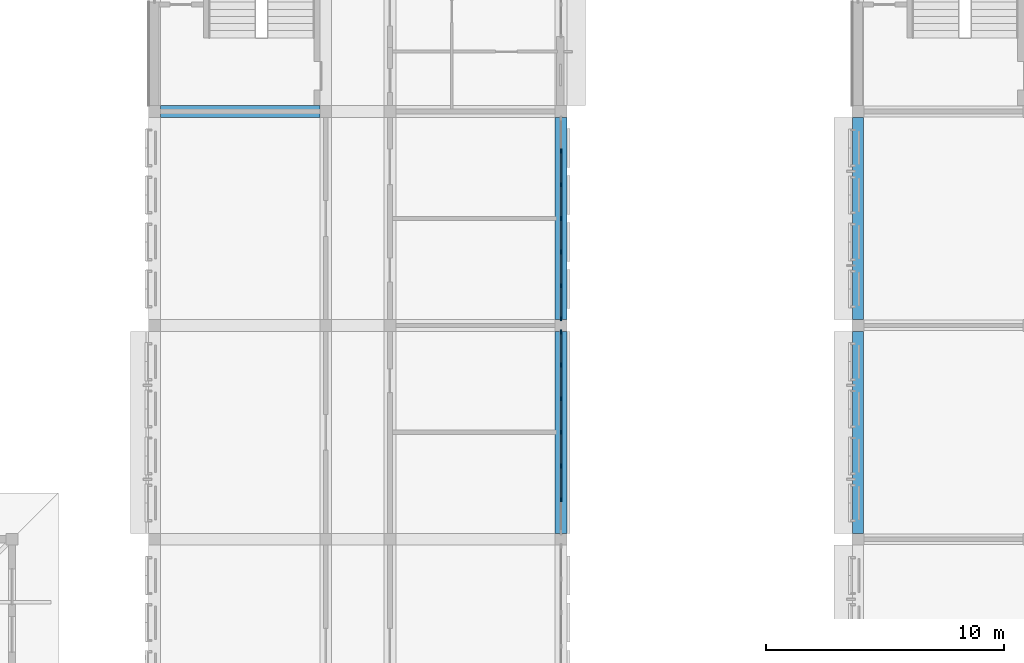
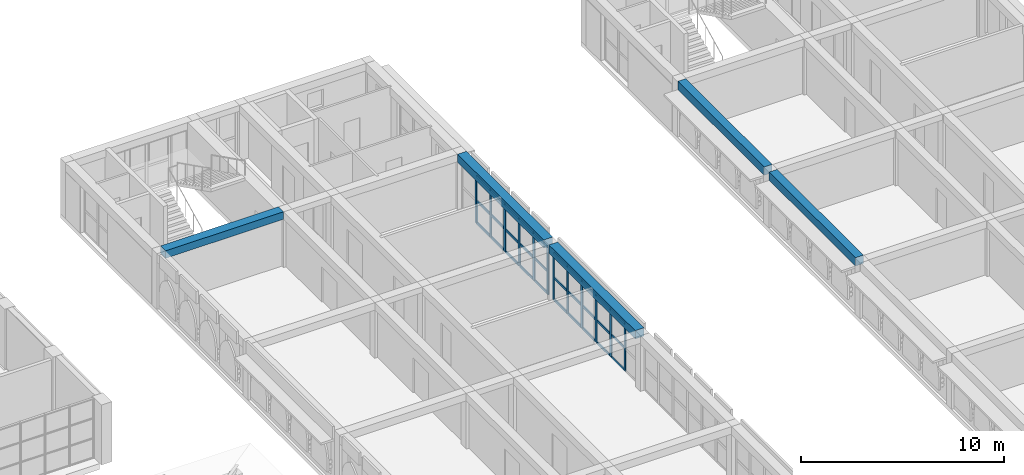
# One storey, part 20 of 82: 42 members, 5 beams, 2 elements without a shape of their own.
"""IFC4 building model written with IfcOpenShell, lengths in metres."""

from ifc_helpers import new_model, si_unit, direction, frame, origin, origin_2d, place, context, subcontext, project, spatial, rectangle, extrude, material, layer, layer_set, material_profile, profile_set, type_object, element, aggregate, save


model = new_model("IFC4")

# Units and contexts
model_context = context("Model", 3, precision=1e-05, world=origin(), true_north=direction((0.0, 1.0)))
body_context = subcontext(model_context, "Body", "Model", "MODEL_VIEW")
ifc_project = project(units=[si_unit("LENGTHUNIT", "METRE"), si_unit("AREAUNIT", "SQUARE_METRE"), si_unit("VOLUMEUNIT", "CUBIC_METRE"), si_unit("PLANEANGLEUNIT", "RADIAN"), si_unit("MASSUNIT", "GRAM", prefix="KILO")], contexts=[model_context])

# Site, building, storey
site_placement = place(None, origin())
site = spatial("IfcSite", under=ifc_project, at=site_placement, CompositionType="ELEMENT")
building_placement = place(site_placement, origin())
building = spatial("IfcBuilding", under=site, at=building_placement, Name="Elbe Cascade School", CompositionType="ELEMENT")
storey_placement = place(building_placement, frame((0.0, 0.0, 4.5)))
storey = spatial("IfcBuildingStorey", under=building, at=storey_placement, Name="L01", CompositionType="ELEMENT", Elevation=4.5)

# Curtain wall, members
ifc_material_1 = material(Name="Aluminium frame with double glazing, bronze anodised", Category="aluminium")
ifc_layer = layer(ifc_material_1, 0.179931640625)
ifc_layer_set = layer_set([ifc_layer], Name="Aluminium frame with double glazing, bronze anodised")
curtain_wall_type = type_object("IfcCurtainWallType", Name="Bars envelope Curtain wall, aluminium, bronze anodised, wide run", PredefinedType="NOTDEFINED", material=ifc_layer_set)
curtain_wall_1_placement = place(storey_placement, origin())
curtain_wall_1 = element("IfcCurtainWall", 1, at=curtain_wall_1_placement, inside=storey, type_object=curtain_wall_type, Name="Curtain wall CW5 A.L01.e4", PredefinedType="NOTDEFINED")
ifc_material_2 = material(Name="Aluminium mullion, bronze anodised", Category="aluminium")
ifc_material_profile_1 = material_profile(ifc_material_2, rectangle(XDim=0.06005859375, YDim=0.179931640625, at=origin_2d()), Name="Bars envelope Curtain wall mullion 60 x 180, aluminium, wide run")
ifc_profile_set_1 = profile_set([ifc_material_profile_1], Name="Aluminium mullion, bronze anodised")
member_type_1 = type_object("IfcMemberType", Name="Bars envelope Curtain wall mullion 60 x 180, aluminium, wide run", PredefinedType="MULLION", material=ifc_profile_set_1)
member_1_placement = place(storey_placement, frame((86.10009765625, 41.719970703125, 0.0), z_axis=(0.0, 0.0, 1.0), x_axis=(1.0, 0.0, 0.0)))
member_1 = element("IfcMember", 2, at=member_1_placement, type_object=member_type_1, Name="CW5 mullion 1", PredefinedType="MULLION", context=body_context, shape_type="SweptSolid", body=[
    extrude(rectangle(XDim=0.06005859375, YDim=0.179931640625, at=origin_2d()), origin(), (0.0, 0.0, 1.0), 2.85009765625),
])
member_2_placement = place(storey_placement, frame((86.10009765625, 40.333251953125, 0.0), z_axis=(0.0, 0.0, 1.0), x_axis=(1.0, 0.0, 0.0)))
member_2 = element("IfcMember", 3, at=member_2_placement, type_object=member_type_1, Name="CW5 mullion 2", PredefinedType="MULLION", context=body_context, shape_type="SweptSolid", body=[
    extrude(rectangle(XDim=0.06005859375, YDim=0.179931640625, at=origin_2d()), origin(), (0.0, 0.0, 1.0), 2.85009765625),
])
member_3_placement = place(storey_placement, frame((86.10009765625, 38.916748046875, 0.0), z_axis=(0.0, 0.0, 1.0), x_axis=(1.0, 0.0, 0.0)))
member_3 = element("IfcMember", 4, at=member_3_placement, type_object=member_type_1, Name="CW5 mullion 3", PredefinedType="MULLION", context=body_context, shape_type="SweptSolid", body=[
    extrude(rectangle(XDim=0.06005859375, YDim=0.179931640625, at=origin_2d()), origin(), (0.0, 0.0, 1.0), 2.85009765625),
])
member_4_placement = place(storey_placement, frame((86.10009765625, 37.5, 0.0), z_axis=(0.0, 0.0, 1.0), x_axis=(1.0, 0.0, 0.0)))
member_4 = element("IfcMember", 5, at=member_4_placement, type_object=member_type_1, Name="CW5 mullion 4", PredefinedType="MULLION", context=body_context, shape_type="SweptSolid", body=[
    extrude(rectangle(XDim=0.06005859375, YDim=0.179931640625, at=origin_2d()), origin(), (0.0, 0.0, 1.0), 2.85009765625),
])
member_5_placement = place(storey_placement, frame((86.10009765625, 36.083251953125, 0.0), z_axis=(0.0, 0.0, 1.0), x_axis=(1.0, 0.0, 0.0)))
member_5 = element("IfcMember", 6, at=member_5_placement, type_object=member_type_1, Name="CW5 mullion 5", PredefinedType="MULLION", context=body_context, shape_type="SweptSolid", body=[
    extrude(rectangle(XDim=0.06005859375, YDim=0.179931640625, at=origin_2d()), origin(), (0.0, 0.0, 1.0), 2.85009765625),
])
member_6_placement = place(storey_placement, frame((86.10009765625, 34.666748046875, 0.0), z_axis=(0.0, 0.0, 1.0), x_axis=(1.0, 0.0, 0.0)))
member_6 = element("IfcMember", 7, at=member_6_placement, type_object=member_type_1, Name="CW5 mullion 6", PredefinedType="MULLION", context=body_context, shape_type="SweptSolid", body=[
    extrude(rectangle(XDim=0.06005859375, YDim=0.179931640625, at=origin_2d()), origin(), (0.0, 0.0, 1.0), 2.85009765625),
])

curtain_wall_2_placement = place(storey_placement, origin())
curtain_wall_2 = element("IfcCurtainWall", 8, at=curtain_wall_2_placement, inside=storey, type_object=curtain_wall_type, Name="Curtain wall CW5 A.L01.e5", PredefinedType="NOTDEFINED")
member_7_placement = place(storey_placement, frame((86.10009765625, 49.333251953125, 0.0), z_axis=(0.0, 0.0, 1.0), x_axis=(1.0, 0.0, 0.0)))
member_7 = element("IfcMember", 9, at=member_7_placement, type_object=member_type_1, Name="CW5 mullion 2", PredefinedType="MULLION", context=body_context, shape_type="SweptSolid", body=[
    extrude(rectangle(XDim=0.06005859375, YDim=0.179931640625, at=origin_2d()), origin(), (0.0, 0.0, 1.0), 2.85009765625),
])
member_8_placement = place(storey_placement, frame((86.10009765625, 47.916748046875, 0.0), z_axis=(0.0, 0.0, 1.0), x_axis=(1.0, 0.0, 0.0)))
member_8 = element("IfcMember", 10, at=member_8_placement, type_object=member_type_1, Name="CW5 mullion 3", PredefinedType="MULLION", context=body_context, shape_type="SweptSolid", body=[
    extrude(rectangle(XDim=0.06005859375, YDim=0.179931640625, at=origin_2d()), origin(), (0.0, 0.0, 1.0), 2.85009765625),
])
member_9_placement = place(storey_placement, frame((86.10009765625, 46.5, 0.0), z_axis=(0.0, 0.0, 1.0), x_axis=(1.0, 0.0, 0.0)))
member_9 = element("IfcMember", 11, at=member_9_placement, type_object=member_type_1, Name="CW5 mullion 4", PredefinedType="MULLION", context=body_context, shape_type="SweptSolid", body=[
    extrude(rectangle(XDim=0.06005859375, YDim=0.179931640625, at=origin_2d()), origin(), (0.0, 0.0, 1.0), 2.85009765625),
])
member_10_placement = place(storey_placement, frame((86.10009765625, 45.083251953125, 0.0), z_axis=(0.0, 0.0, 1.0), x_axis=(1.0, 0.0, 0.0)))
member_10 = element("IfcMember", 12, at=member_10_placement, type_object=member_type_1, Name="CW5 mullion 5", PredefinedType="MULLION", context=body_context, shape_type="SweptSolid", body=[
    extrude(rectangle(XDim=0.06005859375, YDim=0.179931640625, at=origin_2d()), origin(), (0.0, 0.0, 1.0), 2.85009765625),
])
member_11_placement = place(storey_placement, frame((86.10009765625, 43.666748046875, 0.0), z_axis=(0.0, 0.0, 1.0), x_axis=(1.0, 0.0, 0.0)))
member_11 = element("IfcMember", 13, at=member_11_placement, type_object=member_type_1, Name="CW5 mullion 6", PredefinedType="MULLION", context=body_context, shape_type="SweptSolid", body=[
    extrude(rectangle(XDim=0.06005859375, YDim=0.179931640625, at=origin_2d()), origin(), (0.0, 0.0, 1.0), 2.85009765625),
])
member_12_placement = place(storey_placement, frame((86.10009765625, 42.280029296875, 0.0), z_axis=(0.0, 0.0, 1.0), x_axis=(1.0, 0.0, 0.0)))
member_12 = element("IfcMember", 14, at=member_12_placement, type_object=member_type_1, Name="CW5 mullion 7", PredefinedType="MULLION", context=body_context, shape_type="SweptSolid", body=[
    extrude(rectangle(XDim=0.06005859375, YDim=0.179931640625, at=origin_2d()), origin(), (0.0, 0.0, 1.0), 2.85009765625),
])

# Member
ifc_material_3 = material(Name="Aluminium transom, bronze anodised", Category="aluminium")
ifc_material_profile_2 = material_profile(ifc_material_3, rectangle(XDim=0.06005859375, YDim=0.14990234375, at=origin_2d()), Name="Bars envelope Curtain wall transom 60 x 150, aluminium, wide run")
ifc_profile_set_2 = profile_set([ifc_material_profile_2], Name="Aluminium transom, bronze anodised")
member_type_2 = type_object("IfcMemberType", Name="Bars envelope Curtain wall transom 60 x 150, aluminium, wide run", PredefinedType="USERDEFINED", material=ifc_profile_set_2)
member_13_placement = place(storey_placement, frame((86.10009765625, 41.68994140625, 0.030029296875), z_axis=(0.0, -1.0, 0.0), x_axis=(1.0, 0.0, 0.0)))
member_13 = element("IfcMember", 15, at=member_13_placement, type_object=member_type_2, Name="CW5 transom 1.1", ObjectType="TRANSOM", PredefinedType="USERDEFINED", context=body_context, shape_type="SweptSolid", body=[
    extrude(rectangle(XDim=0.06005859375, YDim=0.14990234375, at=origin_2d()), origin(), (0.0, 0.0, 1.0), 1.32666015625),
])

member_14_placement = place(storey_placement, frame((86.10009765625, 41.68994140625, 1.35009765625), z_axis=(0.0, -1.0, 0.0), x_axis=(1.0, 0.0, 0.0)))
member_14 = element("IfcMember", 16, at=member_14_placement, type_object=member_type_2, Name="CW5 transom 1.2", ObjectType="TRANSOM", PredefinedType="USERDEFINED", context=body_context, shape_type="SweptSolid", body=[
    extrude(rectangle(XDim=0.06005859375, YDim=0.14990234375, at=origin_2d()), origin(), (0.0, 0.0, 1.0), 1.32666015625),
])

member_15_placement = place(storey_placement, frame((86.10009765625, 41.68994140625, 2.820068359375), z_axis=(0.0, -1.0, 0.0), x_axis=(1.0, 0.0, 0.0)))
member_15 = element("IfcMember", 17, at=member_15_placement, type_object=member_type_2, Name="CW5 transom 1.3", ObjectType="TRANSOM", PredefinedType="USERDEFINED", context=body_context, shape_type="SweptSolid", body=[
    extrude(rectangle(XDim=0.06005859375, YDim=0.14990234375, at=origin_2d()), origin(), (0.0, 0.0, 1.0), 1.32666015625),
])

member_16_placement = place(storey_placement, frame((86.10009765625, 40.30322265625, 0.030029296875), z_axis=(0.0, -1.0, 0.0), x_axis=(1.0, 0.0, 0.0)))
member_16 = element("IfcMember", 18, at=member_16_placement, type_object=member_type_2, Name="CW5 transom 2.1", ObjectType="TRANSOM", PredefinedType="USERDEFINED", context=body_context, shape_type="SweptSolid", body=[
    extrude(rectangle(XDim=0.06005859375, YDim=0.14990234375, at=origin_2d()), origin(), (0.0, 0.0, 1.0), 1.3564453125),
])

member_17_placement = place(storey_placement, frame((86.10009765625, 40.30322265625, 1.35009765625), z_axis=(0.0, -1.0, 0.0), x_axis=(1.0, 0.0, 0.0)))
member_17 = element("IfcMember", 19, at=member_17_placement, type_object=member_type_2, Name="CW5 transom 2.2", ObjectType="TRANSOM", PredefinedType="USERDEFINED", context=body_context, shape_type="SweptSolid", body=[
    extrude(rectangle(XDim=0.06005859375, YDim=0.14990234375, at=origin_2d()), origin(), (0.0, 0.0, 1.0), 1.3564453125),
])

member_18_placement = place(storey_placement, frame((86.10009765625, 40.30322265625, 2.820068359375), z_axis=(0.0, -1.0, 0.0), x_axis=(1.0, 0.0, 0.0)))
member_18 = element("IfcMember", 20, at=member_18_placement, type_object=member_type_2, Name="CW5 transom 2.3", ObjectType="TRANSOM", PredefinedType="USERDEFINED", context=body_context, shape_type="SweptSolid", body=[
    extrude(rectangle(XDim=0.06005859375, YDim=0.14990234375, at=origin_2d()), origin(), (0.0, 0.0, 1.0), 1.3564453125),
])

member_19_placement = place(storey_placement, frame((86.10009765625, 38.88671875, 0.030029296875), z_axis=(0.0, -1.0, 0.0), x_axis=(1.0, 0.0, 0.0)))
member_19 = element("IfcMember", 21, at=member_19_placement, type_object=member_type_2, Name="CW5 transom 3.1", ObjectType="TRANSOM", PredefinedType="USERDEFINED", context=body_context, shape_type="SweptSolid", body=[
    extrude(rectangle(XDim=0.06005859375, YDim=0.14990234375, at=origin_2d()), origin(), (0.0, 0.0, 1.0), 1.356689453125),
])

member_20_placement = place(storey_placement, frame((86.10009765625, 38.88671875, 1.35009765625), z_axis=(0.0, -1.0, 0.0), x_axis=(1.0, 0.0, 0.0)))
member_20 = element("IfcMember", 22, at=member_20_placement, type_object=member_type_2, Name="CW5 transom 3.2", ObjectType="TRANSOM", PredefinedType="USERDEFINED", context=body_context, shape_type="SweptSolid", body=[
    extrude(rectangle(XDim=0.06005859375, YDim=0.14990234375, at=origin_2d()), origin(), (0.0, 0.0, 1.0), 1.356689453125),
])

member_21_placement = place(storey_placement, frame((86.10009765625, 38.88671875, 2.820068359375), z_axis=(0.0, -1.0, 0.0), x_axis=(1.0, 0.0, 0.0)))
member_21 = element("IfcMember", 23, at=member_21_placement, type_object=member_type_2, Name="CW5 transom 3.3", ObjectType="TRANSOM", PredefinedType="USERDEFINED", context=body_context, shape_type="SweptSolid", body=[
    extrude(rectangle(XDim=0.06005859375, YDim=0.14990234375, at=origin_2d()), origin(), (0.0, 0.0, 1.0), 1.356689453125),
])

member_22_placement = place(storey_placement, frame((86.10009765625, 37.469970703125, 0.030029296875), z_axis=(0.0, -1.0, 0.0), x_axis=(1.0, 0.0, 0.0)))
member_22 = element("IfcMember", 24, at=member_22_placement, type_object=member_type_2, Name="CW5 transom 4.1", ObjectType="TRANSOM", PredefinedType="USERDEFINED", context=body_context, shape_type="SweptSolid", body=[
    extrude(rectangle(XDim=0.06005859375, YDim=0.14990234375, at=origin_2d()), origin(), (0.0, 0.0, 1.0), 1.356689453125),
])

member_23_placement = place(storey_placement, frame((86.10009765625, 37.469970703125, 1.35009765625), z_axis=(0.0, -1.0, 0.0), x_axis=(1.0, 0.0, 0.0)))
member_23 = element("IfcMember", 25, at=member_23_placement, type_object=member_type_2, Name="CW5 transom 4.2", ObjectType="TRANSOM", PredefinedType="USERDEFINED", context=body_context, shape_type="SweptSolid", body=[
    extrude(rectangle(XDim=0.06005859375, YDim=0.14990234375, at=origin_2d()), origin(), (0.0, 0.0, 1.0), 1.356689453125),
])

member_24_placement = place(storey_placement, frame((86.10009765625, 37.469970703125, 2.820068359375), z_axis=(0.0, -1.0, 0.0), x_axis=(1.0, 0.0, 0.0)))
member_24 = element("IfcMember", 26, at=member_24_placement, type_object=member_type_2, Name="CW5 transom 4.3", ObjectType="TRANSOM", PredefinedType="USERDEFINED", context=body_context, shape_type="SweptSolid", body=[
    extrude(rectangle(XDim=0.06005859375, YDim=0.14990234375, at=origin_2d()), origin(), (0.0, 0.0, 1.0), 1.356689453125),
])

member_25_placement = place(storey_placement, frame((86.10009765625, 36.05322265625, 0.030029296875), z_axis=(0.0, -1.0, 0.0), x_axis=(1.0, 0.0, 0.0)))
member_25 = element("IfcMember", 27, at=member_25_placement, type_object=member_type_2, Name="CW5 transom 5.1", ObjectType="TRANSOM", PredefinedType="USERDEFINED", context=body_context, shape_type="SweptSolid", body=[
    extrude(rectangle(XDim=0.06005859375, YDim=0.14990234375, at=origin_2d()), origin(), (0.0, 0.0, 1.0), 1.3564453125),
])

member_26_placement = place(storey_placement, frame((86.10009765625, 36.05322265625, 1.35009765625), z_axis=(0.0, -1.0, 0.0), x_axis=(1.0, 0.0, 0.0)))
member_26 = element("IfcMember", 28, at=member_26_placement, type_object=member_type_2, Name="CW5 transom 5.2", ObjectType="TRANSOM", PredefinedType="USERDEFINED", context=body_context, shape_type="SweptSolid", body=[
    extrude(rectangle(XDim=0.06005859375, YDim=0.14990234375, at=origin_2d()), origin(), (0.0, 0.0, 1.0), 1.3564453125),
])

member_27_placement = place(storey_placement, frame((86.10009765625, 36.05322265625, 2.820068359375), z_axis=(0.0, -1.0, 0.0), x_axis=(1.0, 0.0, 0.0)))
member_27 = element("IfcMember", 29, at=member_27_placement, type_object=member_type_2, Name="CW5 transom 5.3", ObjectType="TRANSOM", PredefinedType="USERDEFINED", context=body_context, shape_type="SweptSolid", body=[
    extrude(rectangle(XDim=0.06005859375, YDim=0.14990234375, at=origin_2d()), origin(), (0.0, 0.0, 1.0), 1.3564453125),
])

aggregate(curtain_wall_1, [member_1, member_2, member_3, member_4, member_5, member_6, member_13, member_14, member_15, member_16, member_17, member_18, member_19, member_20, member_21, member_22, member_23, member_24, member_25, member_26, member_27])

member_28_placement = place(storey_placement, frame((86.10009765625, 49.30322265625, 0.030029296875), z_axis=(0.0, -1.0, 0.0), x_axis=(1.0, 0.0, 0.0)))
member_28 = element("IfcMember", 30, at=member_28_placement, type_object=member_type_2, Name="CW5 transom 2.1", ObjectType="TRANSOM", PredefinedType="USERDEFINED", context=body_context, shape_type="SweptSolid", body=[
    extrude(rectangle(XDim=0.06005859375, YDim=0.14990234375, at=origin_2d()), origin(), (0.0, 0.0, 1.0), 1.3564453125),
])

member_29_placement = place(storey_placement, frame((86.10009765625, 49.30322265625, 1.35009765625), z_axis=(0.0, -1.0, 0.0), x_axis=(1.0, 0.0, 0.0)))
member_29 = element("IfcMember", 31, at=member_29_placement, type_object=member_type_2, Name="CW5 transom 2.2", ObjectType="TRANSOM", PredefinedType="USERDEFINED", context=body_context, shape_type="SweptSolid", body=[
    extrude(rectangle(XDim=0.06005859375, YDim=0.14990234375, at=origin_2d()), origin(), (0.0, 0.0, 1.0), 1.3564453125),
])

member_30_placement = place(storey_placement, frame((86.10009765625, 49.30322265625, 2.820068359375), z_axis=(0.0, -1.0, 0.0), x_axis=(1.0, 0.0, 0.0)))
member_30 = element("IfcMember", 32, at=member_30_placement, type_object=member_type_2, Name="CW5 transom 2.3", ObjectType="TRANSOM", PredefinedType="USERDEFINED", context=body_context, shape_type="SweptSolid", body=[
    extrude(rectangle(XDim=0.06005859375, YDim=0.14990234375, at=origin_2d()), origin(), (0.0, 0.0, 1.0), 1.3564453125),
])

member_31_placement = place(storey_placement, frame((86.10009765625, 47.88671875, 0.030029296875), z_axis=(0.0, -1.0, 0.0), x_axis=(1.0, 0.0, 0.0)))
member_31 = element("IfcMember", 33, at=member_31_placement, type_object=member_type_2, Name="CW5 transom 3.1", ObjectType="TRANSOM", PredefinedType="USERDEFINED", context=body_context, shape_type="SweptSolid", body=[
    extrude(rectangle(XDim=0.06005859375, YDim=0.14990234375, at=origin_2d()), origin(), (0.0, 0.0, 1.0), 1.356689453125),
])

member_32_placement = place(storey_placement, frame((86.10009765625, 47.88671875, 1.35009765625), z_axis=(0.0, -1.0, 0.0), x_axis=(1.0, 0.0, 0.0)))
member_32 = element("IfcMember", 34, at=member_32_placement, type_object=member_type_2, Name="CW5 transom 3.2", ObjectType="TRANSOM", PredefinedType="USERDEFINED", context=body_context, shape_type="SweptSolid", body=[
    extrude(rectangle(XDim=0.06005859375, YDim=0.14990234375, at=origin_2d()), origin(), (0.0, 0.0, 1.0), 1.356689453125),
])

member_33_placement = place(storey_placement, frame((86.10009765625, 47.88671875, 2.820068359375), z_axis=(0.0, -1.0, 0.0), x_axis=(1.0, 0.0, 0.0)))
member_33 = element("IfcMember", 35, at=member_33_placement, type_object=member_type_2, Name="CW5 transom 3.3", ObjectType="TRANSOM", PredefinedType="USERDEFINED", context=body_context, shape_type="SweptSolid", body=[
    extrude(rectangle(XDim=0.06005859375, YDim=0.14990234375, at=origin_2d()), origin(), (0.0, 0.0, 1.0), 1.356689453125),
])

member_34_placement = place(storey_placement, frame((86.10009765625, 46.469970703125, 0.030029296875), z_axis=(0.0, -1.0, 0.0), x_axis=(1.0, 0.0, 0.0)))
member_34 = element("IfcMember", 36, at=member_34_placement, type_object=member_type_2, Name="CW5 transom 4.1", ObjectType="TRANSOM", PredefinedType="USERDEFINED", context=body_context, shape_type="SweptSolid", body=[
    extrude(rectangle(XDim=0.06005859375, YDim=0.14990234375, at=origin_2d()), origin(), (0.0, 0.0, 1.0), 1.356689453125),
])

member_35_placement = place(storey_placement, frame((86.10009765625, 46.469970703125, 1.35009765625), z_axis=(0.0, -1.0, 0.0), x_axis=(1.0, 0.0, 0.0)))
member_35 = element("IfcMember", 37, at=member_35_placement, type_object=member_type_2, Name="CW5 transom 4.2", ObjectType="TRANSOM", PredefinedType="USERDEFINED", context=body_context, shape_type="SweptSolid", body=[
    extrude(rectangle(XDim=0.06005859375, YDim=0.14990234375, at=origin_2d()), origin(), (0.0, 0.0, 1.0), 1.356689453125),
])

member_36_placement = place(storey_placement, frame((86.10009765625, 46.469970703125, 2.820068359375), z_axis=(0.0, -1.0, 0.0), x_axis=(1.0, 0.0, 0.0)))
member_36 = element("IfcMember", 38, at=member_36_placement, type_object=member_type_2, Name="CW5 transom 4.3", ObjectType="TRANSOM", PredefinedType="USERDEFINED", context=body_context, shape_type="SweptSolid", body=[
    extrude(rectangle(XDim=0.06005859375, YDim=0.14990234375, at=origin_2d()), origin(), (0.0, 0.0, 1.0), 1.356689453125),
])

member_37_placement = place(storey_placement, frame((86.10009765625, 45.05322265625, 0.030029296875), z_axis=(0.0, -1.0, 0.0), x_axis=(1.0, 0.0, 0.0)))
member_37 = element("IfcMember", 39, at=member_37_placement, type_object=member_type_2, Name="CW5 transom 5.1", ObjectType="TRANSOM", PredefinedType="USERDEFINED", context=body_context, shape_type="SweptSolid", body=[
    extrude(rectangle(XDim=0.06005859375, YDim=0.14990234375, at=origin_2d()), origin(), (0.0, 0.0, 1.0), 1.3564453125),
])

member_38_placement = place(storey_placement, frame((86.10009765625, 45.05322265625, 1.35009765625), z_axis=(0.0, -1.0, 0.0), x_axis=(1.0, 0.0, 0.0)))
member_38 = element("IfcMember", 40, at=member_38_placement, type_object=member_type_2, Name="CW5 transom 5.2", ObjectType="TRANSOM", PredefinedType="USERDEFINED", context=body_context, shape_type="SweptSolid", body=[
    extrude(rectangle(XDim=0.06005859375, YDim=0.14990234375, at=origin_2d()), origin(), (0.0, 0.0, 1.0), 1.3564453125),
])

member_39_placement = place(storey_placement, frame((86.10009765625, 45.05322265625, 2.820068359375), z_axis=(0.0, -1.0, 0.0), x_axis=(1.0, 0.0, 0.0)))
member_39 = element("IfcMember", 41, at=member_39_placement, type_object=member_type_2, Name="CW5 transom 5.3", ObjectType="TRANSOM", PredefinedType="USERDEFINED", context=body_context, shape_type="SweptSolid", body=[
    extrude(rectangle(XDim=0.06005859375, YDim=0.14990234375, at=origin_2d()), origin(), (0.0, 0.0, 1.0), 1.3564453125),
])

member_40_placement = place(storey_placement, frame((86.10009765625, 43.63671875, 0.030029296875), z_axis=(0.0, -1.0, 0.0), x_axis=(1.0, 0.0, 0.0)))
member_40 = element("IfcMember", 42, at=member_40_placement, type_object=member_type_2, Name="CW5 transom 6.1", ObjectType="TRANSOM", PredefinedType="USERDEFINED", context=body_context, shape_type="SweptSolid", body=[
    extrude(rectangle(XDim=0.06005859375, YDim=0.14990234375, at=origin_2d()), origin(), (0.0, 0.0, 1.0), 1.32666015625),
])

member_41_placement = place(storey_placement, frame((86.10009765625, 43.63671875, 1.35009765625), z_axis=(0.0, -1.0, 0.0), x_axis=(1.0, 0.0, 0.0)))
member_41 = element("IfcMember", 43, at=member_41_placement, type_object=member_type_2, Name="CW5 transom 6.2", ObjectType="TRANSOM", PredefinedType="USERDEFINED", context=body_context, shape_type="SweptSolid", body=[
    extrude(rectangle(XDim=0.06005859375, YDim=0.14990234375, at=origin_2d()), origin(), (0.0, 0.0, 1.0), 1.32666015625),
])

member_42_placement = place(storey_placement, frame((86.10009765625, 43.63671875, 2.820068359375), z_axis=(0.0, -1.0, 0.0), x_axis=(1.0, 0.0, 0.0)))
member_42 = element("IfcMember", 44, at=member_42_placement, type_object=member_type_2, Name="CW5 transom 6.3", ObjectType="TRANSOM", PredefinedType="USERDEFINED", context=body_context, shape_type="SweptSolid", body=[
    extrude(rectangle(XDim=0.06005859375, YDim=0.14990234375, at=origin_2d()), origin(), (0.0, 0.0, 1.0), 1.32666015625),
])

aggregate(curtain_wall_2, [member_7, member_8, member_9, member_10, member_11, member_12, member_28, member_29, member_30, member_31, member_32, member_33, member_34, member_35, member_36, member_37, member_38, member_39, member_40, member_41, member_42])

# Beams
ifc_material_4 = material(Name="Concrete C30/37", Category="concrete")
ifc_material_profile_3 = material_profile(ifc_material_4, rectangle(XDim=0.449951171875, YDim=0.5, at=origin_2d()), Name="RC 450x500")
ifc_profile_set_3 = profile_set([ifc_material_profile_3], Name="Concrete C30/37")
beam_type_1 = type_object("IfcBeamType", Name="RC 450x500 beam", PredefinedType="BEAM", material=ifc_profile_set_3)
for number, where, z_axis, x_axis, name in (
    (45, (98.60009765625, 33.25, 3.10009765625), (0.0, 1.0, 0.0), (-1.0, 0.0, 0.0), "RC 450x500 beam B9"),
    (46, (98.60009765625, 42.25, 3.10009765625), (0.0, 1.0, 0.0), (-1.0, 0.0, 0.0), "RC 450x500 beam B9"),
):
    element("IfcBeam", number, at=place(storey_placement, frame(where, z_axis=z_axis, x_axis=x_axis)), inside=storey, type_object=beam_type_1, Name=name, PredefinedType="BEAM", context=body_context, shape_type="SweptSolid", body=[
        extrude(rectangle(XDim=0.449951171875, YDim=0.5, at=origin_2d()), origin(), (0.0, 0.0, 1.0), 8.5),
    ])
ifc_material_5 = material(Name="Concrete C30/37", Category="concrete")
ifc_material_profile_4 = material_profile(ifc_material_5, rectangle(XDim=0.5, YDim=0.449951171875, at=origin_2d()), Name="RC 500x450")
ifc_profile_set_4 = profile_set([ifc_material_profile_4], Name="Concrete C30/37")
beam_type_2 = type_object("IfcBeamType", Name="RC 500x450 beam", PredefinedType="BEAM", material=ifc_profile_set_4)
beam_placement = place(storey_placement, frame((69.25, 51.0, 3.125), z_axis=(1.0, 0.0, 0.0), x_axis=(0.0, 1.0, 0.0)))
element("IfcBeam", 47, at=beam_placement, inside=storey, type_object=beam_type_2, Name="RC 500x450 beam B7", PredefinedType="BEAM", context=body_context, shape_type="SweptSolid", body=[
    extrude(rectangle(XDim=0.5, YDim=0.449951171875, at=origin_2d()), origin(), (0.0, 0.0, 1.0), 6.699951171875),
])
ifc_material_6 = material(Name="Concrete C30/37", Category="concrete")
ifc_material_profile_5 = material_profile(ifc_material_6, rectangle(XDim=0.5, YDim=0.5, at=origin_2d()), Name="RC 500x500")
ifc_profile_set_5 = profile_set([ifc_material_profile_5], Name="Concrete C30/37")
beam_type_3 = type_object("IfcBeamType", Name="RC 500x500 beam", PredefinedType="BEAM", material=ifc_profile_set_5)
for number, where, z_axis, x_axis, name in (
    (48, (86.10009765625, 33.25, 3.10009765625), (0.0, 1.0, 0.0), (-1.0, 0.0, 0.0), "RC 500x500 beam B6"),
    (49, (86.10009765625, 42.25, 3.10009765625), (0.0, 1.0, 0.0), (-1.0, 0.0, 0.0), "RC 500x500 beam B6"),
):
    element("IfcBeam", number, at=place(storey_placement, frame(where, z_axis=z_axis, x_axis=x_axis)), inside=storey, type_object=beam_type_3, Name=name, PredefinedType="BEAM", context=body_context, shape_type="SweptSolid", body=[
        extrude(rectangle(XDim=0.5, YDim=0.5, at=origin_2d()), origin(), (0.0, 0.0, 1.0), 8.5),
    ])

save(model, "model.ifc")
